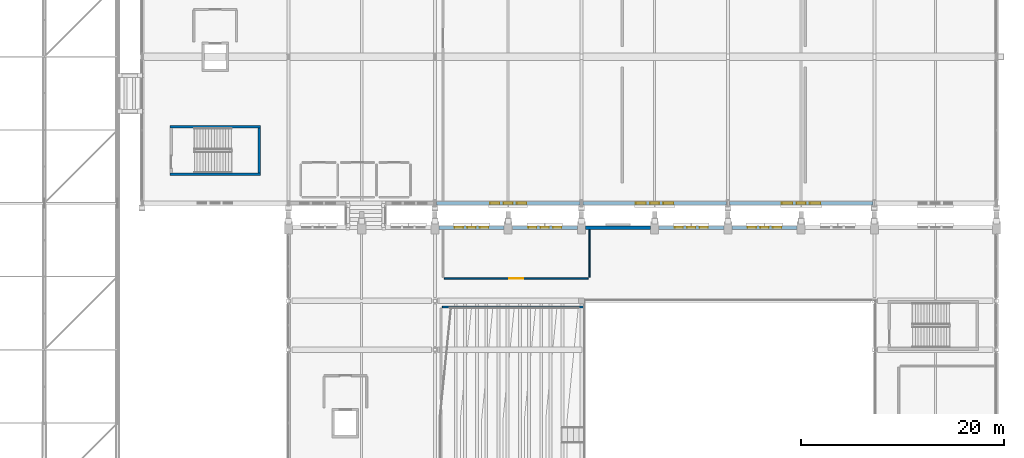
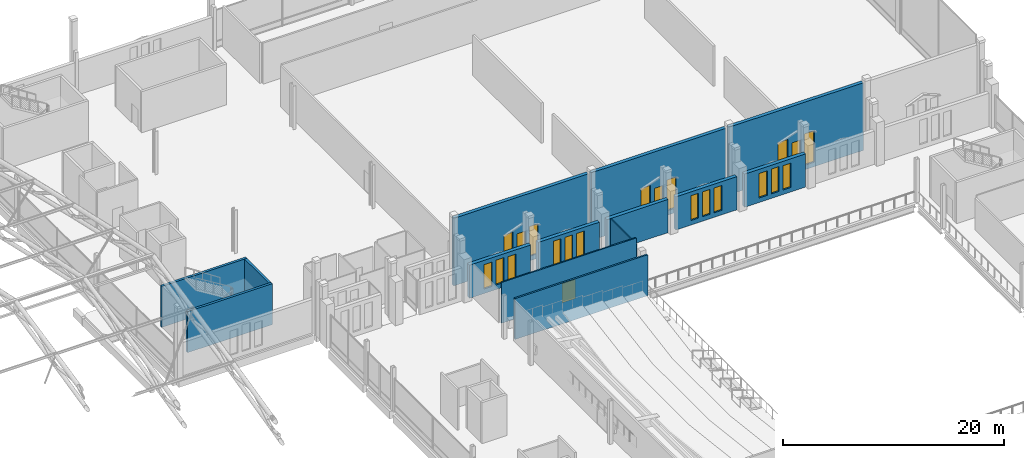
# One storey, part 148 of 193: 21 windows, 14 walls, 1 door, 22 openings.
"""IFC4 building model written with IfcOpenShell, lengths in metres."""

from ifc_helpers import new_model, si_unit, direction, frame, frame_2d, origin, place, context, subcontext, project, spatial, rectangle, extrude, material, layer, layer_set, type_object, element, fill, save


model = new_model("IFC4")

# Units and contexts
model_context = context("Model", 3, precision=1e-05, world=origin(), true_north=direction((0.0, 1.0)))
body_context = subcontext(model_context, "Body", "Model", "MODEL_VIEW")
ifc_project = project(units=[si_unit("LENGTHUNIT", "METRE"), si_unit("AREAUNIT", "SQUARE_METRE"), si_unit("VOLUMEUNIT", "CUBIC_METRE"), si_unit("PLANEANGLEUNIT", "RADIAN"), si_unit("MASSUNIT", "GRAM", prefix="KILO")], contexts=[model_context])

# Site, building, storey
site_placement = place(None, origin())
site = spatial("IfcSite", under=ifc_project, at=site_placement, CompositionType="ELEMENT")
building_placement = place(site_placement, origin())
building = spatial("IfcBuilding", under=site, at=building_placement, Name="Cendralis Lancet Convention Centre", CompositionType="ELEMENT")
storey_placement = place(building_placement, frame((0.0, 0.0, 10.199951171875)))
storey = spatial("IfcBuildingStorey", under=building, at=storey_placement, Name="L02", CompositionType="ELEMENT", Elevation=10.199951171875)

# Wall, openings, windows
ifc_material_1 = material(Name="Buff sandstone ashlar and Concrete G40 (C40/50)", Category="masonry")
ifc_layer_1 = layer(ifc_material_1, 0.360107421875, Name="Buff sandstone ashlar and Concrete G40 (C40/50)")
ifc_layer_set_1 = layer_set([ifc_layer_1], Name="Buff sandstone ashlar and Concrete G40 (C40/50)")
wall_type_1 = type_object("IfcWallType", Name="ARC-EW-W360", PredefinedType="STANDARD", material=ifc_layer_set_1)
wall_1_placement = place(storey_placement, frame((167.842041015625, 93.60009765625, 0.0), z_axis=(0.0, 0.0, 1.0), x_axis=(-1.0, 0.0, 0.0)))
wall_1 = element("IfcWall", 1, at=wall_1_placement, inside=storey, type_object=wall_type_1, Name="L02 V3 Exterior Wall EW-04 #0165", PredefinedType="STANDARD", context=body_context, shape_type="SweptSolid", body=[
    extrude(rectangle(XDim=14.083984375, YDim=0.360107421875, at=frame_2d((7.0419921875, 0.0))), origin(), (0.0, 0.0, 1.0), 7.485107421875),
])
opening_1_placement = place(wall_1_placement, frame((5.261962890625, 0.0, 0.5)))
opening_1 = element("IfcOpeningElement", 2, at=opening_1_placement, cuts=wall_1, Name="Opening WN-04", PredefinedType="OPENING", context=body_context, shape_type="SweptSolid", body=[
    extrude(rectangle(XDim=0.919921875, YDim=3.300048828125, at=frame_2d((0.4599609375, 1.64990234375))), frame((0.0, 0.18994140625, 0.0), z_axis=(0.0, -1.0, 0.0), x_axis=(1.0, 0.0, 0.0)), (0.0, 0.0, 1.0), 0.380126953125),
])
opening_2_placement = place(wall_1_placement, frame((6.60205078125, 0.0, 0.5)))
opening_2 = element("IfcOpeningElement", 3, at=opening_2_placement, cuts=wall_1, Name="Opening WN-08", PredefinedType="OPENING", context=body_context, shape_type="SweptSolid", body=[
    extrude(rectangle(XDim=0.8798828125, YDim=2.949951171875, at=frame_2d((0.43994140625, 1.47509765625))), frame((0.0, 0.18994140625, 0.0), z_axis=(0.0, -1.0, 0.0), x_axis=(1.0, 0.0, 0.0)), (0.0, 0.0, 1.0), 0.380126953125),
])
opening_3_placement = place(wall_1_placement, frame((7.902099609375, 0.0, 0.5)))
opening_3 = element("IfcOpeningElement", 4, at=opening_3_placement, cuts=wall_1, Name="Opening WN-04", PredefinedType="OPENING", context=body_context, shape_type="SweptSolid", body=[
    extrude(rectangle(XDim=0.919921875, YDim=3.300048828125, at=frame_2d((0.4599609375, 1.64990234375))), frame((0.0, 0.18994140625, 0.0), z_axis=(0.0, -1.0, 0.0), x_axis=(1.0, 0.0, 0.0)), (0.0, 0.0, 1.0), 0.380126953125),
])
ifc_material_2 = material(Name="Double-glazed low-E solar-control glass", Category="glass")
window_type_1 = type_object("IfcWindowType", Name="ARC-WN-LW04", PartitioningType="SINGLE_PANEL", PredefinedType="WINDOW", material=ifc_material_2)
window_1_placement = place(opening_1_placement, origin())
window_1 = element("IfcWindow", 5, at=window_1_placement, inside=storey, type_object=window_type_1, Name="Gothic Lancet Window WN-04 #0329", OverallHeight=3.300048828125, OverallWidth=0.919921875, PartitioningType="SINGLE_PANEL", PredefinedType="WINDOW", context=body_context, shape_type="SweptSolid", body=[
    extrude(rectangle(XDim=0.919921875, YDim=3.300048828125, at=frame_2d((0.4599609375, 1.64990234375))), frame((0.0, 0.030029296875, 0.0), z_axis=(0.0, -1.0, 0.0), x_axis=(1.0, 0.0, 0.0)), (0.0, 0.0, 1.0), 0.06005859375),
])
fill(opening_1, window_1)
window_2_placement = place(opening_3_placement, origin())
window_2 = element("IfcWindow", 6, at=window_2_placement, inside=storey, type_object=window_type_1, Name="Gothic Lancet Window WN-04 #0331", OverallHeight=3.300048828125, OverallWidth=0.919921875, PartitioningType="SINGLE_PANEL", PredefinedType="WINDOW", context=body_context, shape_type="SweptSolid", body=[
    extrude(rectangle(XDim=0.919921875, YDim=3.300048828125, at=frame_2d((0.4599609375, 1.64990234375))), frame((0.0, 0.030029296875, 0.0), z_axis=(0.0, -1.0, 0.0), x_axis=(1.0, 0.0, 0.0)), (0.0, 0.0, 1.0), 0.06005859375),
])
fill(opening_3, window_2)
window_type_2 = type_object("IfcWindowType", Name="ARC-WN-LW08", PartitioningType="SINGLE_PANEL", PredefinedType="WINDOW", material=ifc_material_2)
window_3_placement = place(opening_2_placement, origin())
window_3 = element("IfcWindow", 7, at=window_3_placement, inside=storey, type_object=window_type_2, Name="Gothic Lancet Window WN-08 #0330", OverallHeight=2.949951171875, OverallWidth=0.8798828125, PartitioningType="SINGLE_PANEL", PredefinedType="WINDOW", context=body_context, shape_type="SweptSolid", body=[
    extrude(rectangle(XDim=0.8798828125, YDim=2.949951171875, at=frame_2d((0.43994140625, 1.47509765625))), frame((0.0, 0.030029296875, 0.0), z_axis=(0.0, -1.0, 0.0), x_axis=(1.0, 0.0, 0.0)), (0.0, 0.0, 1.0), 0.06005859375),
])
fill(opening_2, window_3)

wall_2_placement = place(storey_placement, frame((182.241943359375, 93.60009765625, 0.0), z_axis=(0.0, 0.0, 1.0), x_axis=(-1.0, 0.0, 0.0)))
wall_2 = element("IfcWall", 8, at=wall_2_placement, inside=storey, type_object=wall_type_1, Name="L02 V3 Exterior Wall EW-04 #0166", PredefinedType="STANDARD", context=body_context, shape_type="SweptSolid", body=[
    extrude(rectangle(XDim=14.083984375, YDim=0.360107421875, at=frame_2d((7.0419921875, 0.0))), origin(), (0.0, 0.0, 1.0), 7.485107421875),
])
opening_4_placement = place(wall_2_placement, frame((5.201904296875, 0.0, 0.5)))
opening_4 = element("IfcOpeningElement", 9, at=opening_4_placement, cuts=wall_2, Name="Opening WN-05", PredefinedType="OPENING", context=body_context, shape_type="SweptSolid", body=[
    extrude(rectangle(XDim=0.97998046875, YDim=3.419921875, at=frame_2d((0.489990234375, 1.7099609375))), frame((0.0, 0.18994140625, 0.0), z_axis=(0.0, -1.0, 0.0), x_axis=(1.0, 0.0, 0.0)), (0.0, 0.0, 1.0), 0.380126953125),
])
opening_5_placement = place(wall_2_placement, frame((6.60205078125, 0.0, 0.5)))
opening_5 = element("IfcOpeningElement", 10, at=opening_5_placement, cuts=wall_2, Name="Opening WN-08", PredefinedType="OPENING", context=body_context, shape_type="SweptSolid", body=[
    extrude(rectangle(XDim=0.8798828125, YDim=2.949951171875, at=frame_2d((0.43994140625, 1.47509765625))), frame((0.0, 0.18994140625, 0.0), z_axis=(0.0, -1.0, 0.0), x_axis=(1.0, 0.0, 0.0)), (0.0, 0.0, 1.0), 0.380126953125),
])
opening_6_placement = place(wall_2_placement, frame((7.902099609375, 0.0, 0.5)))
opening_6 = element("IfcOpeningElement", 11, at=opening_6_placement, cuts=wall_2, Name="Opening WN-05", PredefinedType="OPENING", context=body_context, shape_type="SweptSolid", body=[
    extrude(rectangle(XDim=0.97998046875, YDim=3.419921875, at=frame_2d((0.489990234375, 1.7099609375))), frame((0.0, 0.18994140625, 0.0), z_axis=(0.0, -1.0, 0.0), x_axis=(1.0, 0.0, 0.0)), (0.0, 0.0, 1.0), 0.380126953125),
])
window_type_3 = type_object("IfcWindowType", Name="ARC-WN-LW05", PartitioningType="SINGLE_PANEL", PredefinedType="WINDOW", material=ifc_material_2)
window_4_placement = place(opening_4_placement, origin())
window_4 = element("IfcWindow", 12, at=window_4_placement, inside=storey, type_object=window_type_3, Name="Gothic Lancet Window WN-05 #0332", OverallHeight=3.419921875, OverallWidth=0.97998046875, PartitioningType="SINGLE_PANEL", PredefinedType="WINDOW", context=body_context, shape_type="SweptSolid", body=[
    extrude(rectangle(XDim=0.97998046875, YDim=3.419921875, at=frame_2d((0.489990234375, 1.7099609375))), frame((0.0, 0.030029296875, 0.0), z_axis=(0.0, -1.0, 0.0), x_axis=(1.0, 0.0, 0.0)), (0.0, 0.0, 1.0), 0.06005859375),
])
fill(opening_4, window_4)
window_5_placement = place(opening_6_placement, origin())
window_5 = element("IfcWindow", 13, at=window_5_placement, inside=storey, type_object=window_type_3, Name="Gothic Lancet Window WN-05 #0334", OverallHeight=3.419921875, OverallWidth=0.97998046875, PartitioningType="SINGLE_PANEL", PredefinedType="WINDOW", context=body_context, shape_type="SweptSolid", body=[
    extrude(rectangle(XDim=0.97998046875, YDim=3.419921875, at=frame_2d((0.489990234375, 1.7099609375))), frame((0.0, 0.030029296875, 0.0), z_axis=(0.0, -1.0, 0.0), x_axis=(1.0, 0.0, 0.0)), (0.0, 0.0, 1.0), 0.06005859375),
])
fill(opening_6, window_5)
window_6_placement = place(opening_5_placement, origin())
window_6 = element("IfcWindow", 14, at=window_6_placement, inside=storey, type_object=window_type_2, Name="Gothic Lancet Window WN-08 #0333", OverallHeight=2.949951171875, OverallWidth=0.8798828125, PartitioningType="SINGLE_PANEL", PredefinedType="WINDOW", context=body_context, shape_type="SweptSolid", body=[
    extrude(rectangle(XDim=0.8798828125, YDim=2.949951171875, at=frame_2d((0.43994140625, 1.47509765625))), frame((0.0, 0.030029296875, 0.0), z_axis=(0.0, -1.0, 0.0), x_axis=(1.0, 0.0, 0.0)), (0.0, 0.0, 1.0), 0.06005859375),
])
fill(opening_5, window_6)

wall_3_placement = place(storey_placement, frame((196.64208984375, 93.60009765625, 0.0), z_axis=(0.0, 0.0, 1.0), x_axis=(-1.0, 0.0, 0.0)))
wall_3 = element("IfcWall", 15, at=wall_3_placement, inside=storey, type_object=wall_type_1, Name="L02 V3 Exterior Wall EW-04 #0167", PredefinedType="STANDARD", context=body_context, shape_type="SweptSolid", body=[
    extrude(rectangle(XDim=14.083984375, YDim=0.360107421875, at=frame_2d((7.0419921875, 0.0))), origin(), (0.0, 0.0, 1.0), 7.485107421875),
])
opening_7_placement = place(wall_3_placement, frame((5.14208984375, 0.0, 0.5)))
opening_7 = element("IfcOpeningElement", 16, at=opening_7_placement, cuts=wall_3, Name="Opening WN-06", PredefinedType="OPENING", context=body_context, shape_type="SweptSolid", body=[
    extrude(rectangle(XDim=1.0400390625, YDim=3.47998046875, at=frame_2d((0.52001953125, 1.739990234375))), frame((0.0, 0.18994140625, 0.0), z_axis=(0.0, -1.0, 0.0), x_axis=(1.0, 0.0, 0.0)), (0.0, 0.0, 1.0), 0.380126953125),
])
opening_8_placement = place(wall_3_placement, frame((6.60205078125, 0.0, 0.5)))
opening_8 = element("IfcOpeningElement", 17, at=opening_8_placement, cuts=wall_3, Name="Opening WN-08", PredefinedType="OPENING", context=body_context, shape_type="SweptSolid", body=[
    extrude(rectangle(XDim=0.8798828125, YDim=2.949951171875, at=frame_2d((0.43994140625, 1.47509765625))), frame((0.0, 0.18994140625, 0.0), z_axis=(0.0, -1.0, 0.0), x_axis=(1.0, 0.0, 0.0)), (0.0, 0.0, 1.0), 0.380126953125),
])
opening_9_placement = place(wall_3_placement, frame((7.902099609375, 0.0, 0.5)))
opening_9 = element("IfcOpeningElement", 18, at=opening_9_placement, cuts=wall_3, Name="Opening WN-06", PredefinedType="OPENING", context=body_context, shape_type="SweptSolid", body=[
    extrude(rectangle(XDim=1.0400390625, YDim=3.47998046875, at=frame_2d((0.52001953125, 1.739990234375))), frame((0.0, 0.18994140625, 0.0), z_axis=(0.0, -1.0, 0.0), x_axis=(1.0, 0.0, 0.0)), (0.0, 0.0, 1.0), 0.380126953125),
])
window_type_4 = type_object("IfcWindowType", Name="ARC-WN-LW06", PartitioningType="SINGLE_PANEL", PredefinedType="WINDOW", material=ifc_material_2)
window_7_placement = place(opening_7_placement, origin())
window_7 = element("IfcWindow", 19, at=window_7_placement, inside=storey, type_object=window_type_4, Name="Gothic Lancet Window WN-06 #0335", OverallHeight=3.47998046875, OverallWidth=1.0400390625, PartitioningType="SINGLE_PANEL", PredefinedType="WINDOW", context=body_context, shape_type="SweptSolid", body=[
    extrude(rectangle(XDim=1.0400390625, YDim=3.47998046875, at=frame_2d((0.52001953125, 1.739990234375))), frame((0.0, 0.030029296875, 0.0), z_axis=(0.0, -1.0, 0.0), x_axis=(1.0, 0.0, 0.0)), (0.0, 0.0, 1.0), 0.06005859375),
])
fill(opening_7, window_7)
window_8_placement = place(opening_9_placement, origin())
window_8 = element("IfcWindow", 20, at=window_8_placement, inside=storey, type_object=window_type_4, Name="Gothic Lancet Window WN-06 #0337", OverallHeight=3.47998046875, OverallWidth=1.0400390625, PartitioningType="SINGLE_PANEL", PredefinedType="WINDOW", context=body_context, shape_type="SweptSolid", body=[
    extrude(rectangle(XDim=1.0400390625, YDim=3.47998046875, at=frame_2d((0.52001953125, 1.739990234375))), frame((0.0, 0.030029296875, 0.0), z_axis=(0.0, -1.0, 0.0), x_axis=(1.0, 0.0, 0.0)), (0.0, 0.0, 1.0), 0.06005859375),
])
fill(opening_9, window_8)
window_9_placement = place(opening_8_placement, origin())
window_9 = element("IfcWindow", 21, at=window_9_placement, inside=storey, type_object=window_type_2, Name="Gothic Lancet Window WN-08 #0336", OverallHeight=2.949951171875, OverallWidth=0.8798828125, PartitioningType="SINGLE_PANEL", PredefinedType="WINDOW", context=body_context, shape_type="SweptSolid", body=[
    extrude(rectangle(XDim=0.8798828125, YDim=2.949951171875, at=frame_2d((0.43994140625, 1.47509765625))), frame((0.0, 0.030029296875, 0.0), z_axis=(0.0, -1.0, 0.0), x_axis=(1.0, 0.0, 0.0)), (0.0, 0.0, 1.0), 0.06005859375),
])
fill(opening_8, window_9)

ifc_layer_2 = layer(ifc_material_1, 0.3798828125, Name="Buff sandstone ashlar and Concrete G40 (C40/50)")
ifc_layer_set_2 = layer_set([ifc_layer_2], Name="Buff sandstone ashlar and Concrete G40 (C40/50)")
wall_type_2 = type_object("IfcWallType", Name="ARC-EW-W380", PredefinedType="STANDARD", material=ifc_layer_set_2)
wall_4_placement = place(storey_placement, frame((154.008056640625, 91.199951171875, 0.0), z_axis=(0.0, 0.0, 1.0), x_axis=(1.0, 0.0, 0.0)))
wall_4 = element("IfcWall", 22, at=wall_4_placement, inside=storey, type_object=wall_type_2, Name="L02 V2 Exterior Wall EW-03 #0120", PredefinedType="STANDARD", context=body_context, shape_type="SweptSolid", body=[
    extrude(rectangle(XDim=6.384033203125, YDim=0.3798828125, at=frame_2d((3.19189453125, 0.0))), origin(), (0.0, 0.0, 1.0), 3.675048828125),
])
opening_10_placement = place(wall_4_placement, frame((1.531982421875, 0.0, 0.5)))
opening_10 = element("IfcOpeningElement", 23, at=opening_10_placement, cuts=wall_4, Name="Opening WN-15", PredefinedType="OPENING", context=body_context, shape_type="SweptSolid", body=[
    extrude(rectangle(XDim=0.840087890625, YDim=2.699951171875, at=frame_2d((0.419921875, 1.35009765625))), frame((0.0, 0.199951171875, 0.0), z_axis=(0.0, -1.0, 0.0), x_axis=(1.0, 0.0, 0.0)), (0.0, 0.0, 1.0), 0.39990234375),
])
opening_11_placement = place(wall_4_placement, frame((2.7919921875, 0.0, 0.5)))
opening_11 = element("IfcOpeningElement", 24, at=opening_11_placement, cuts=wall_4, Name="Opening WN-07", PredefinedType="OPENING", context=body_context, shape_type="SweptSolid", body=[
    extrude(rectangle(XDim=0.800048828125, YDim=2.75, at=frame_2d((0.39990234375, 1.375))), frame((0.0, 0.199951171875, 0.0), z_axis=(0.0, -1.0, 0.0), x_axis=(1.0, 0.0, 0.0)), (0.0, 0.0, 1.0), 0.39990234375),
])
opening_12_placement = place(wall_4_placement, frame((4.011962890625, 0.0, 0.5)))
opening_12 = element("IfcOpeningElement", 25, at=opening_12_placement, cuts=wall_4, Name="Opening WN-15", PredefinedType="OPENING", context=body_context, shape_type="SweptSolid", body=[
    extrude(rectangle(XDim=0.840087890625, YDim=2.699951171875, at=frame_2d((0.419921875, 1.35009765625))), frame((0.0, 0.199951171875, 0.0), z_axis=(0.0, -1.0, 0.0), x_axis=(1.0, 0.0, 0.0)), (0.0, 0.0, 1.0), 0.39990234375),
])
window_type_5 = type_object("IfcWindowType", Name="ARC-WN-LW07", PartitioningType="SINGLE_PANEL", PredefinedType="WINDOW", material=ifc_material_2)
window_10_placement = place(opening_11_placement, origin())
window_10 = element("IfcWindow", 26, at=window_10_placement, inside=storey, type_object=window_type_5, Name="Gothic Lancet Window WN-07 #0232", OverallHeight=2.75, OverallWidth=0.800048828125, PartitioningType="SINGLE_PANEL", PredefinedType="WINDOW", context=body_context, shape_type="SweptSolid", body=[
    extrude(rectangle(XDim=0.800048828125, YDim=2.75, at=frame_2d((0.39990234375, 1.375))), frame((0.0, 0.030029296875, 0.0), z_axis=(0.0, -1.0, 0.0), x_axis=(1.0, 0.0, 0.0)), (0.0, 0.0, 1.0), 0.06005859375),
])
fill(opening_11, window_10)
window_type_6 = type_object("IfcWindowType", Name="ARC-WN-LW15", PartitioningType="SINGLE_PANEL", PredefinedType="WINDOW", material=ifc_material_2)
window_11_placement = place(opening_10_placement, origin())
window_11 = element("IfcWindow", 27, at=window_11_placement, inside=storey, type_object=window_type_6, Name="Gothic Lancet Window WN-15 #0231", OverallHeight=2.699951171875, OverallWidth=0.840087890625, PartitioningType="SINGLE_PANEL", PredefinedType="WINDOW", context=body_context, shape_type="SweptSolid", body=[
    extrude(rectangle(XDim=0.840087890625, YDim=2.699951171875, at=frame_2d((0.419921875, 1.35009765625))), frame((0.0, 0.030029296875, 0.0), z_axis=(0.0, -1.0, 0.0), x_axis=(1.0, 0.0, 0.0)), (0.0, 0.0, 1.0), 0.06005859375),
])
fill(opening_10, window_11)
window_12_placement = place(opening_12_placement, origin())
window_12 = element("IfcWindow", 28, at=window_12_placement, inside=storey, type_object=window_type_6, Name="Gothic Lancet Window WN-15 #0233", OverallHeight=2.699951171875, OverallWidth=0.840087890625, PartitioningType="SINGLE_PANEL", PredefinedType="WINDOW", context=body_context, shape_type="SweptSolid", body=[
    extrude(rectangle(XDim=0.840087890625, YDim=2.699951171875, at=frame_2d((0.419921875, 1.35009765625))), frame((0.0, 0.030029296875, 0.0), z_axis=(0.0, -1.0, 0.0), x_axis=(1.0, 0.0, 0.0)), (0.0, 0.0, 1.0), 0.06005859375),
])
fill(opening_12, window_12)

wall_5_placement = place(storey_placement, frame((161.2080078125, 91.199951171875, 0.0), z_axis=(0.0, 0.0, 1.0), x_axis=(1.0, 0.0, 0.0)))
wall_5 = element("IfcWall", 29, at=wall_5_placement, inside=storey, type_object=wall_type_2, Name="L02 V2 Exterior Wall EW-03 #0121", PredefinedType="STANDARD", context=body_context, shape_type="SweptSolid", body=[
    extrude(rectangle(XDim=6.384033203125, YDim=0.3798828125, at=frame_2d((3.19189453125, 0.0))), origin(), (0.0, 0.0, 1.0), 3.675048828125),
])
opening_13_placement = place(wall_5_placement, frame((1.572021484375, 0.0, 0.5)))
opening_13 = element("IfcOpeningElement", 30, at=opening_13_placement, cuts=wall_5, Name="Opening WN-07", PredefinedType="OPENING", context=body_context, shape_type="SweptSolid", body=[
    extrude(rectangle(XDim=0.800048828125, YDim=2.75, at=frame_2d((0.39990234375, 1.375))), frame((0.0, 0.199951171875, 0.0), z_axis=(0.0, -1.0, 0.0), x_axis=(1.0, 0.0, 0.0)), (0.0, 0.0, 1.0), 0.39990234375),
])
opening_14_placement = place(wall_5_placement, frame((2.7919921875, 0.0, 0.5)))
opening_14 = element("IfcOpeningElement", 31, at=opening_14_placement, cuts=wall_5, Name="Opening WN-07", PredefinedType="OPENING", context=body_context, shape_type="SweptSolid", body=[
    extrude(rectangle(XDim=0.800048828125, YDim=2.75, at=frame_2d((0.39990234375, 1.375))), frame((0.0, 0.199951171875, 0.0), z_axis=(0.0, -1.0, 0.0), x_axis=(1.0, 0.0, 0.0)), (0.0, 0.0, 1.0), 0.39990234375),
])
opening_15_placement = place(wall_5_placement, frame((4.011962890625, 0.0, 0.5)))
opening_15 = element("IfcOpeningElement", 32, at=opening_15_placement, cuts=wall_5, Name="Opening WN-07", PredefinedType="OPENING", context=body_context, shape_type="SweptSolid", body=[
    extrude(rectangle(XDim=0.800048828125, YDim=2.75, at=frame_2d((0.39990234375, 1.375))), frame((0.0, 0.199951171875, 0.0), z_axis=(0.0, -1.0, 0.0), x_axis=(1.0, 0.0, 0.0)), (0.0, 0.0, 1.0), 0.39990234375),
])
window_13_placement = place(opening_13_placement, origin())
window_13 = element("IfcWindow", 33, at=window_13_placement, inside=storey, type_object=window_type_5, Name="Gothic Lancet Window WN-07 #0234", OverallHeight=2.75, OverallWidth=0.800048828125, PartitioningType="SINGLE_PANEL", PredefinedType="WINDOW", context=body_context, shape_type="SweptSolid", body=[
    extrude(rectangle(XDim=0.800048828125, YDim=2.75, at=frame_2d((0.39990234375, 1.375))), frame((0.0, 0.030029296875, 0.0), z_axis=(0.0, -1.0, 0.0), x_axis=(1.0, 0.0, 0.0)), (0.0, 0.0, 1.0), 0.06005859375),
])
fill(opening_13, window_13)
window_14_placement = place(opening_14_placement, origin())
window_14 = element("IfcWindow", 34, at=window_14_placement, inside=storey, type_object=window_type_5, Name="Gothic Lancet Window WN-07 #0235", OverallHeight=2.75, OverallWidth=0.800048828125, PartitioningType="SINGLE_PANEL", PredefinedType="WINDOW", context=body_context, shape_type="SweptSolid", body=[
    extrude(rectangle(XDim=0.800048828125, YDim=2.75, at=frame_2d((0.39990234375, 1.375))), frame((0.0, 0.030029296875, 0.0), z_axis=(0.0, -1.0, 0.0), x_axis=(1.0, 0.0, 0.0)), (0.0, 0.0, 1.0), 0.06005859375),
])
fill(opening_14, window_14)
window_15_placement = place(opening_15_placement, origin())
window_15 = element("IfcWindow", 35, at=window_15_placement, inside=storey, type_object=window_type_5, Name="Gothic Lancet Window WN-07 #0236", OverallHeight=2.75, OverallWidth=0.800048828125, PartitioningType="SINGLE_PANEL", PredefinedType="WINDOW", context=body_context, shape_type="SweptSolid", body=[
    extrude(rectangle(XDim=0.800048828125, YDim=2.75, at=frame_2d((0.39990234375, 1.375))), frame((0.0, 0.030029296875, 0.0), z_axis=(0.0, -1.0, 0.0), x_axis=(1.0, 0.0, 0.0)), (0.0, 0.0, 1.0), 0.06005859375),
])
fill(opening_15, window_15)

# Wall
wall_6_placement = place(storey_placement, frame((168.407958984375, 91.199951171875, 0.0), z_axis=(0.0, 0.0, 1.0), x_axis=(1.0, 0.0, 0.0)))
element("IfcWall", 36, at=wall_6_placement, inside=storey, type_object=wall_type_2, Name="L02 V2 Exterior Wall EW-03 #0122", PredefinedType="STANDARD", context=body_context, shape_type="SweptSolid", body=[
    extrude(rectangle(XDim=6.384033203125, YDim=0.3798828125, at=frame_2d((3.19189453125, 0.0))), origin(), (0.0, 0.0, 1.0), 3.675048828125),
])

# Wall, openings, windows
wall_7_placement = place(storey_placement, frame((175.60791015625, 91.199951171875, 0.0), z_axis=(0.0, 0.0, 1.0), x_axis=(1.0, 0.0, 0.0)))
wall_7 = element("IfcWall", 37, at=wall_7_placement, inside=storey, type_object=wall_type_2, Name="L02 V2 Exterior Wall EW-03 #0123", PredefinedType="STANDARD", context=body_context, shape_type="SweptSolid", body=[
    extrude(rectangle(XDim=6.384033203125, YDim=0.3798828125, at=frame_2d((3.19189453125, 0.0))), origin(), (0.0, 0.0, 1.0), 3.675048828125),
])
opening_16_placement = place(wall_7_placement, frame((1.572021484375, 0.0, 0.5)))
opening_16 = element("IfcOpeningElement", 38, at=opening_16_placement, cuts=wall_7, Name="Opening WN-07", PredefinedType="OPENING", context=body_context, shape_type="SweptSolid", body=[
    extrude(rectangle(XDim=0.800048828125, YDim=2.75, at=frame_2d((0.39990234375, 1.375))), frame((0.0, 0.199951171875, 0.0), z_axis=(0.0, -1.0, 0.0), x_axis=(1.0, 0.0, 0.0)), (0.0, 0.0, 1.0), 0.39990234375),
])
opening_17_placement = place(wall_7_placement, frame((2.7919921875, 0.0, 0.5)))
opening_17 = element("IfcOpeningElement", 39, at=opening_17_placement, cuts=wall_7, Name="Opening WN-07", PredefinedType="OPENING", context=body_context, shape_type="SweptSolid", body=[
    extrude(rectangle(XDim=0.800048828125, YDim=2.75, at=frame_2d((0.39990234375, 1.375))), frame((0.0, 0.199951171875, 0.0), z_axis=(0.0, -1.0, 0.0), x_axis=(1.0, 0.0, 0.0)), (0.0, 0.0, 1.0), 0.39990234375),
])
opening_18_placement = place(wall_7_placement, frame((4.011962890625, 0.0, 0.5)))
opening_18 = element("IfcOpeningElement", 40, at=opening_18_placement, cuts=wall_7, Name="Opening WN-07", PredefinedType="OPENING", context=body_context, shape_type="SweptSolid", body=[
    extrude(rectangle(XDim=0.800048828125, YDim=2.75, at=frame_2d((0.39990234375, 1.375))), frame((0.0, 0.199951171875, 0.0), z_axis=(0.0, -1.0, 0.0), x_axis=(1.0, 0.0, 0.0)), (0.0, 0.0, 1.0), 0.39990234375),
])
window_16_placement = place(opening_16_placement, origin())
window_16 = element("IfcWindow", 41, at=window_16_placement, inside=storey, type_object=window_type_5, Name="Gothic Lancet Window WN-07 #0237", OverallHeight=2.75, OverallWidth=0.800048828125, PartitioningType="SINGLE_PANEL", PredefinedType="WINDOW", context=body_context, shape_type="SweptSolid", body=[
    extrude(rectangle(XDim=0.800048828125, YDim=2.75, at=frame_2d((0.39990234375, 1.375))), frame((0.0, 0.030029296875, 0.0), z_axis=(0.0, -1.0, 0.0), x_axis=(1.0, 0.0, 0.0)), (0.0, 0.0, 1.0), 0.06005859375),
])
fill(opening_16, window_16)
window_17_placement = place(opening_17_placement, origin())
window_17 = element("IfcWindow", 42, at=window_17_placement, inside=storey, type_object=window_type_5, Name="Gothic Lancet Window WN-07 #0238", OverallHeight=2.75, OverallWidth=0.800048828125, PartitioningType="SINGLE_PANEL", PredefinedType="WINDOW", context=body_context, shape_type="SweptSolid", body=[
    extrude(rectangle(XDim=0.800048828125, YDim=2.75, at=frame_2d((0.39990234375, 1.375))), frame((0.0, 0.030029296875, 0.0), z_axis=(0.0, -1.0, 0.0), x_axis=(1.0, 0.0, 0.0)), (0.0, 0.0, 1.0), 0.06005859375),
])
fill(opening_17, window_17)
window_18_placement = place(opening_18_placement, origin())
window_18 = element("IfcWindow", 43, at=window_18_placement, inside=storey, type_object=window_type_5, Name="Gothic Lancet Window WN-07 #0239", OverallHeight=2.75, OverallWidth=0.800048828125, PartitioningType="SINGLE_PANEL", PredefinedType="WINDOW", context=body_context, shape_type="SweptSolid", body=[
    extrude(rectangle(XDim=0.800048828125, YDim=2.75, at=frame_2d((0.39990234375, 1.375))), frame((0.0, 0.030029296875, 0.0), z_axis=(0.0, -1.0, 0.0), x_axis=(1.0, 0.0, 0.0)), (0.0, 0.0, 1.0), 0.06005859375),
])
fill(opening_18, window_18)

wall_8_placement = place(storey_placement, frame((182.80810546875, 91.199951171875, 0.0), z_axis=(0.0, 0.0, 1.0), x_axis=(1.0, 0.0, 0.0)))
wall_8 = element("IfcWall", 44, at=wall_8_placement, inside=storey, type_object=wall_type_2, Name="L02 V2 Exterior Wall EW-03 #0124", PredefinedType="STANDARD", context=body_context, shape_type="SweptSolid", body=[
    extrude(rectangle(XDim=6.3837890625, YDim=0.3798828125, at=frame_2d((3.19189453125, 0.0))), origin(), (0.0, 0.0, 1.0), 3.675048828125),
])
opening_19_placement = place(wall_8_placement, frame((1.531982421875, 0.0, 0.5)))
opening_19 = element("IfcOpeningElement", 45, at=opening_19_placement, cuts=wall_8, Name="Opening WN-15", PredefinedType="OPENING", context=body_context, shape_type="SweptSolid", body=[
    extrude(rectangle(XDim=0.840087890625, YDim=2.699951171875, at=frame_2d((0.419921875, 1.35009765625))), frame((0.0, 0.199951171875, 0.0), z_axis=(0.0, -1.0, 0.0), x_axis=(1.0, 0.0, 0.0)), (0.0, 0.0, 1.0), 0.39990234375),
])
opening_20_placement = place(wall_8_placement, frame((2.7919921875, 0.0, 0.5)))
opening_20 = element("IfcOpeningElement", 46, at=opening_20_placement, cuts=wall_8, Name="Opening WN-07", PredefinedType="OPENING", context=body_context, shape_type="SweptSolid", body=[
    extrude(rectangle(XDim=0.800048828125, YDim=2.75, at=frame_2d((0.39990234375, 1.375))), frame((0.0, 0.199951171875, 0.0), z_axis=(0.0, -1.0, 0.0), x_axis=(1.0, 0.0, 0.0)), (0.0, 0.0, 1.0), 0.39990234375),
])
opening_21_placement = place(wall_8_placement, frame((4.011962890625, 0.0, 0.5)))
opening_21 = element("IfcOpeningElement", 47, at=opening_21_placement, cuts=wall_8, Name="Opening WN-15", PredefinedType="OPENING", context=body_context, shape_type="SweptSolid", body=[
    extrude(rectangle(XDim=0.840087890625, YDim=2.699951171875, at=frame_2d((0.419921875, 1.35009765625))), frame((0.0, 0.199951171875, 0.0), z_axis=(0.0, -1.0, 0.0), x_axis=(1.0, 0.0, 0.0)), (0.0, 0.0, 1.0), 0.39990234375),
])
window_19_placement = place(opening_20_placement, origin())
window_19 = element("IfcWindow", 48, at=window_19_placement, inside=storey, type_object=window_type_5, Name="Gothic Lancet Window WN-07 #0241", OverallHeight=2.75, OverallWidth=0.800048828125, PartitioningType="SINGLE_PANEL", PredefinedType="WINDOW", context=body_context, shape_type="SweptSolid", body=[
    extrude(rectangle(XDim=0.800048828125, YDim=2.75, at=frame_2d((0.39990234375, 1.375))), frame((0.0, 0.030029296875, 0.0), z_axis=(0.0, -1.0, 0.0), x_axis=(1.0, 0.0, 0.0)), (0.0, 0.0, 1.0), 0.06005859375),
])
fill(opening_20, window_19)
window_20_placement = place(opening_19_placement, origin())
window_20 = element("IfcWindow", 49, at=window_20_placement, inside=storey, type_object=window_type_6, Name="Gothic Lancet Window WN-15 #0240", OverallHeight=2.699951171875, OverallWidth=0.840087890625, PartitioningType="SINGLE_PANEL", PredefinedType="WINDOW", context=body_context, shape_type="SweptSolid", body=[
    extrude(rectangle(XDim=0.840087890625, YDim=2.699951171875, at=frame_2d((0.419921875, 1.35009765625))), frame((0.0, 0.030029296875, 0.0), z_axis=(0.0, -1.0, 0.0), x_axis=(1.0, 0.0, 0.0)), (0.0, 0.0, 1.0), 0.06005859375),
])
fill(opening_19, window_20)
window_21_placement = place(opening_21_placement, origin())
window_21 = element("IfcWindow", 50, at=window_21_placement, inside=storey, type_object=window_type_6, Name="Gothic Lancet Window WN-15 #0242", OverallHeight=2.699951171875, OverallWidth=0.840087890625, PartitioningType="SINGLE_PANEL", PredefinedType="WINDOW", context=body_context, shape_type="SweptSolid", body=[
    extrude(rectangle(XDim=0.840087890625, YDim=2.699951171875, at=frame_2d((0.419921875, 1.35009765625))), frame((0.0, 0.030029296875, 0.0), z_axis=(0.0, -1.0, 0.0), x_axis=(1.0, 0.0, 0.0)), (0.0, 0.0, 1.0), 0.06005859375),
])
fill(opening_21, window_21)

# Wall
ifc_material_3 = material(Name="Acoustic fire-rated gypsum board on steel studs", Category="steel")
ifc_layer_3 = layer(ifc_material_3, 0.1201171875, Name="Acoustic fire-rated gypsum board on steel studs")
ifc_layer_set_3 = layer_set([ifc_layer_3], Name="Acoustic fire-rated gypsum board on steel studs")
wall_type_3 = type_object("IfcWallType", Name="ARC-IW-P120", PredefinedType="PARTITIONING", material=ifc_layer_set_3)
wall_9_placement = place(storey_placement, frame((168.800048828125, 86.340087890625, 0.0), z_axis=(0.0, 0.0, 1.0), x_axis=(0.0, 1.0, 0.0)))
element("IfcWall", 51, at=wall_9_placement, inside=storey, type_object=wall_type_3, Name="L02 Interior Partition IW-05 #0105", PredefinedType="PARTITIONING", context=body_context, shape_type="SweptSolid", body=[
    extrude(rectangle(XDim=4.659912109375, YDim=0.1201171875, at=frame_2d((2.330078125, 0.0))), origin(), (0.0, 0.0, 1.0), 3.675048828125),
])

# Wall, opening, door
ifc_layer_4 = layer(ifc_material_3, 0.139892578125, Name="Acoustic fire-rated gypsum board on steel studs")
ifc_layer_set_4 = layer_set([ifc_layer_4], Name="Acoustic fire-rated gypsum board on steel studs")
wall_type_4 = type_object("IfcWallType", Name="ARC-IW-P140", PredefinedType="PARTITIONING", material=ifc_layer_set_4)
wall_10_placement = place(storey_placement, frame((154.5400390625, 86.199951171875, 0.0), z_axis=(0.0, 0.0, 1.0), x_axis=(1.0, 0.0, 0.0)))
wall_10 = element("IfcWall", 52, at=wall_10_placement, inside=storey, type_object=wall_type_4, Name="L02 Interior Partition IW-04 #0103", PredefinedType="PARTITIONING", context=body_context, shape_type="SweptSolid", body=[
    extrude(rectangle(XDim=14.119873046875, YDim=0.139892578125, at=frame_2d((7.06005859375, 0.0))), origin(), (0.0, 0.0, 1.0), 4.525146484375),
])
opening_22_placement = place(wall_10_placement, frame((6.360107421875, 0.0, 0.0)))
opening_22 = element("IfcOpeningElement", 53, at=opening_22_placement, cuts=wall_10, Name="Opening ID-14", PredefinedType="OPENING", context=body_context, shape_type="SweptSolid", body=[
    extrude(rectangle(XDim=1.39990234375, YDim=2.14990234375, at=frame_2d((0.699951171875, 1.074951171875))), frame((0.0, 0.079833984375, 0.0), z_axis=(0.0, -1.0, 0.0), x_axis=(1.0, 0.0, 0.0)), (0.0, 0.0, 1.0), 0.159912109375),
])
ifc_material_4 = material(Name="Acoustic Chilean lenga timber and steel fire leaf", Category="steel")
door_type = type_object("IfcDoorType", Name="ARC-DR-DB14", OperationType="NOTDEFINED", PredefinedType="DOOR", material=ifc_material_4)
door_placement = place(opening_22_placement, origin())
door = element("IfcDoor", 54, at=door_placement, inside=storey, type_object=door_type, Name="L02-D002 L02 Interior Door ID-14 #0034", OperationType="DOUBLE_DOOR_SINGLE_SWING", OverallHeight=2.14990234375, OverallWidth=1.39990234375, PredefinedType="DOOR", context=body_context, shape_type="SweptSolid", body=[
    extrude(rectangle(XDim=1.39990234375, YDim=2.14990234375, at=frame_2d((0.699951171875, 1.074951171875))), frame((0.0, 0.02490234375, 0.0), z_axis=(0.0, -1.0, 0.0), x_axis=(1.0, 0.0, 0.0)), (0.0, 0.0, 1.0), 0.050048828125),
])
fill(opening_22, door)

# Walls
ifc_layer_5 = layer(ifc_material_3, 0.179931640625, Name="Acoustic fire-rated gypsum board on steel studs")
ifc_layer_set_5 = layer_set([ifc_layer_5], Name="Acoustic fire-rated gypsum board on steel studs")
wall_type_5 = type_object("IfcWallType", Name="ARC-IW-P180", PredefinedType="PARTITIONING", material=ifc_layer_set_5)
wall_11_placement = place(storey_placement, frame((154.340087890625, 83.39990234375, 0.0), z_axis=(0.0, 0.0, 1.0), x_axis=(1.0, 0.0, 0.0)))
element("IfcWall", 55, at=wall_11_placement, inside=storey, type_object=wall_type_5, Name="L02 Interior Partition IW-02 #0102", PredefinedType="PARTITIONING", context=body_context, shape_type="SweptSolid", body=[
    extrude(rectangle(XDim=13.8798828125, YDim=0.179931640625, at=frame_2d((6.93994140625, 0.0))), origin(), (0.0, 0.0, 1.0), 4.525146484375),
])
ifc_material_5 = material(Name="Concrete G40 (C40/50)", Category="concrete")
ifc_layer_6 = layer(ifc_material_5, 0.25, Name="Concrete G40 (C40/50)")
ifc_layer_set_6 = layer_set([ifc_layer_6], Name="Concrete G40 (C40/50)")
wall_type_6 = type_object("IfcWallType", Name="STR-SW-CW250", PredefinedType="SHEAR", material=ifc_layer_set_6)
wall_12_placement = place(storey_placement, frame((136.324951171875, 96.60009765625, 0.0), z_axis=(0.0, 0.0, 1.0), x_axis=(0.0, 1.0, 0.0)))
element("IfcWall", 56, at=wall_12_placement, inside=storey, type_object=wall_type_6, Name="L02 Stair Core ST-07 East Shear Wall", PredefinedType="SHEAR", context=body_context, shape_type="SweptSolid", body=[
    extrude(rectangle(XDim=4.3798828125, YDim=0.25, at=frame_2d((2.18994140625, 0.0))), origin(), (0.0, 0.0, 1.0), 4.5400390625),
])
for number, where, z_axis, x_axis, name in (
    (57, (127.550048828125, 96.47509765625, 0.0), (0.0, 0.0, 1.0), (1.0, 0.0, 0.0), "L02 Stair Core ST-07 South Shear Wall"),
    (58, (127.550048828125, 101.10498046875, 0.0), (0.0, 0.0, 1.0), (1.0, 0.0, 0.0), "L02 Stair Core ST-07 North Shear Wall"),
):
    element("IfcWall", number, at=place(storey_placement, frame(where, z_axis=z_axis, x_axis=x_axis)), inside=storey, type_object=wall_type_6, Name=name, PredefinedType="SHEAR", context=body_context, shape_type="SweptSolid", body=[
        extrude(rectangle(XDim=8.89990234375, YDim=0.25, at=frame_2d((4.449951171875, 0.0))), origin(), (0.0, 0.0, 1.0), 4.5400390625),
    ])

save(model, "model.ifc")
